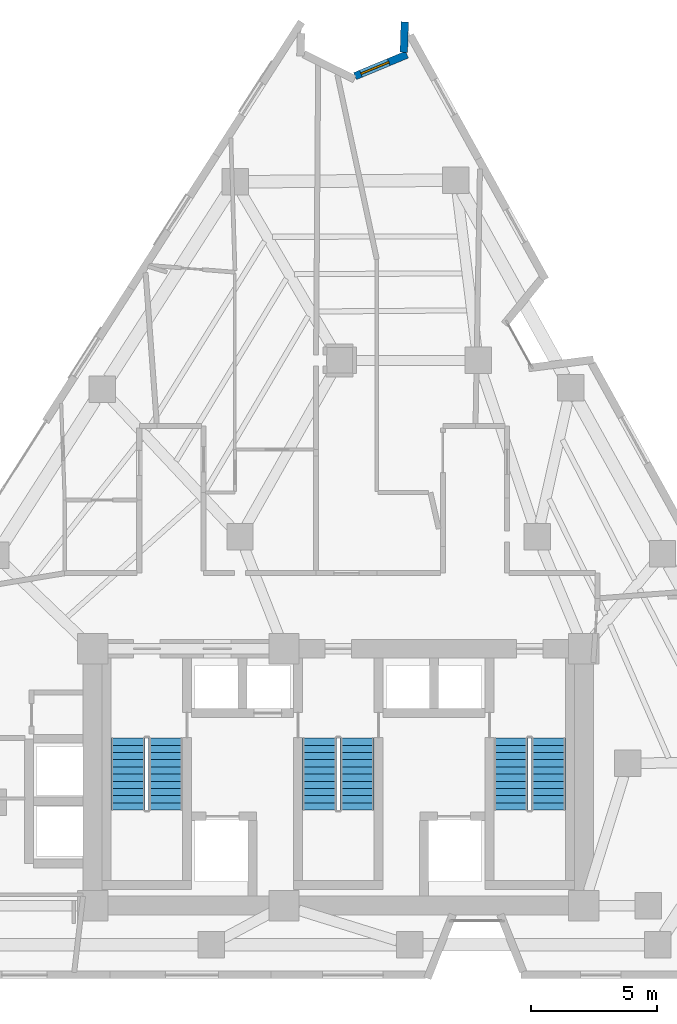
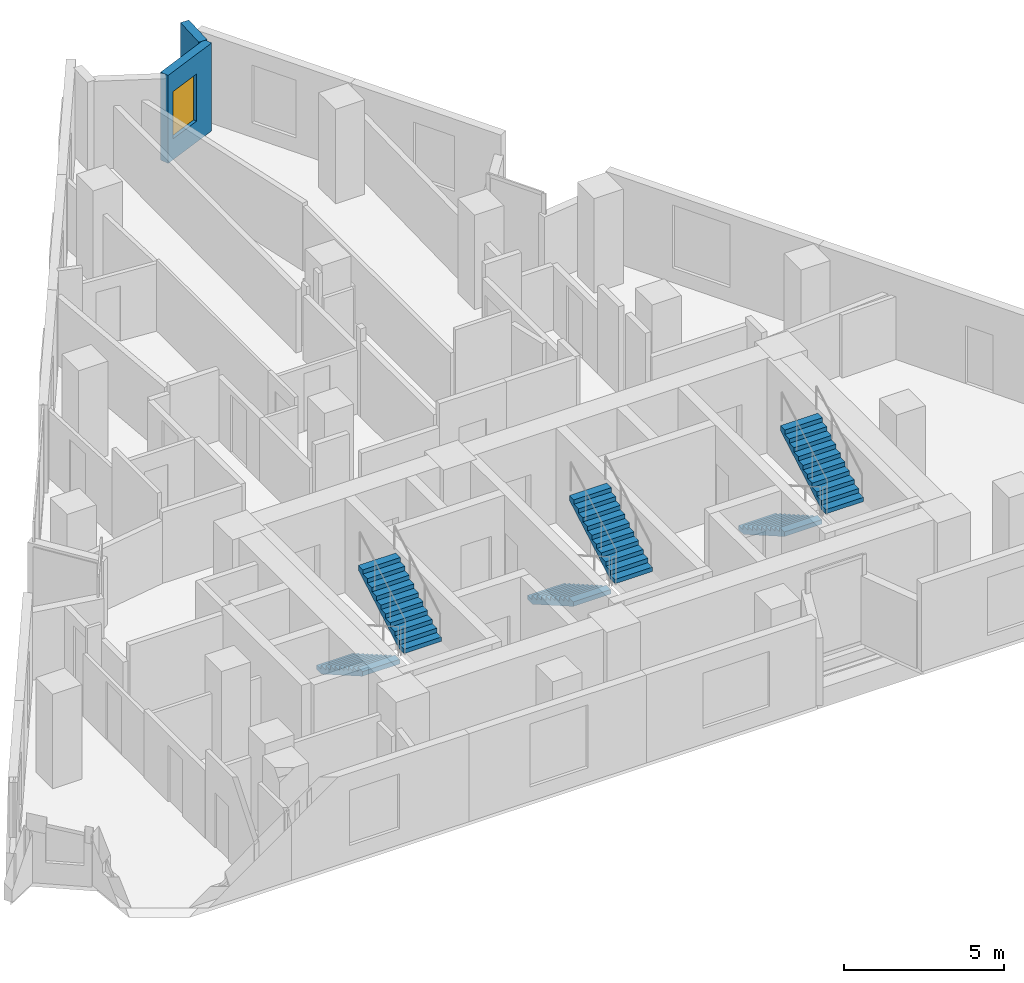
# One storey, part 9 of 11: 6 stair flights, 2 walls, 1 window, 1 opening, 3 elements without a shape of their own.
"""IFC4 building model written with IfcOpenShell, lengths in metres."""

from ifc_helpers import new_model, si_unit, direction, frame, frame_2d, origin, place, context, subcontext, project, spatial, polyline, rectangle, outline, extrude, material, layer, layer_set, type_object, element, fill, aggregate, save


model = new_model("IFC4")

# Units and contexts
model_context = context("Model", 3, precision=1e-05, world=origin(), true_north=direction((0.0, 1.0)))
body_context = subcontext(model_context, "Body", "Model", "MODEL_VIEW")
ifc_project = project(units=[si_unit("LENGTHUNIT", "METRE"), si_unit("AREAUNIT", "SQUARE_METRE"), si_unit("VOLUMEUNIT", "CUBIC_METRE"), si_unit("PLANEANGLEUNIT", "RADIAN"), si_unit("MASSUNIT", "GRAM", prefix="KILO")], contexts=[model_context])

# Site, building, storey
site_placement = place(None, origin())
site = spatial("IfcSite", under=ifc_project, at=site_placement, CompositionType="ELEMENT")
building_placement = place(site_placement, origin())
building = spatial("IfcBuilding", under=site, at=building_placement, Name="Almagre Mirador Tower", CompositionType="ELEMENT")
storey_placement = place(building_placement, frame((0.0, 0.0, 160.800048828125)))
storey = spatial("IfcBuildingStorey", under=building, at=storey_placement, Name="L41", CompositionType="ELEMENT", Elevation=160.800048828125)

# Wall, opening, window
ifc_material_1 = material(Name="Precast concrete C50/60", Category="concrete")
ifc_layer = layer(ifc_material_1, 0.300048828125)
ifc_layer_set = layer_set([ifc_layer], Name="Precast concrete C50/60")
wall_type = type_object("IfcWallType", Name="WAL-EXT-300", PredefinedType="SOLIDWALL", material=ifc_layer_set)
wall_1_placement = place(storey_placement, frame((37.96484375, 37.483154296875, 0.0), z_axis=(0.0, 0.0, 1.0), x_axis=(0.923541991646, 0.383497313766, 0.0)))
wall_1 = element("IfcWall", 1, at=wall_1_placement, inside=storey, type_object=wall_type, Name="L41 expressed almagre precast frame wall 08", PredefinedType="SOLIDWALL", context=body_context, shape_type="SweptSolid", body=[
    extrude(rectangle(XDim=2.233154296875, YDim=0.300048828125, at=frame_2d((1.11669921875, 0.0))), origin(), (0.0, 0.0, 1.0), 3.349853515625),
])
opening_placement = place(wall_1_placement, frame((0.2529296875, 0.0, 0.800048828125)))
opening = element("IfcOpeningElement", 2, at=opening_placement, cuts=wall_1, Name="Opening WN-04", PredefinedType="OPENING", context=body_context, shape_type="SweptSolid", body=[
    extrude(rectangle(XDim=1.199951171875, YDim=1.800048828125, at=frame_2d((0.60009765625, 0.89990234375))), frame((0.0, 0.159902, 0.0), z_axis=(0.0, -1.0, 0.0), x_axis=(1.0, 0.0, 0.0)), (0.0, 0.0, 1.0), 0.320049),
])
ifc_material_2 = material(Name="Dark solar-control laminated hurricane glass", Category="glass")
window_type = type_object("IfcWindowType", Name="WIN-1200X1800", PartitioningType="SINGLE_PANEL", PredefinedType="WINDOW", material=ifc_material_2)
window_placement = place(opening_placement, origin())
window = element("IfcWindow", 3, at=window_placement, inside=storey, type_object=window_type, Name="L41 recessed hurricane window L41-RST-H", OverallHeight=1.800048828125, OverallWidth=1.199951171875, PartitioningType="SINGLE_PANEL", PredefinedType="WINDOW", context=body_context, shape_type="SweptSolid", body=[
    extrude(rectangle(XDim=1.199951171875, YDim=1.800048828125, at=frame_2d((0.60009765625, 0.89990234375))), frame((0.0, 0.030029296875, 0.0), z_axis=(0.0, -1.0, 0.0), x_axis=(1.0, 0.0, 0.0)), (0.0, 0.0, 1.0), 0.06005859375),
])
fill(opening, window)

# Wall
wall_2_placement = place(storey_placement, frame((39.902587890625, 38.430908203125, 0.0), z_axis=(0.0, 0.0, 1.0), x_axis=(0.032091701063, 0.999484928712, 0.0)))
element("IfcWall", 4, at=wall_2_placement, inside=storey, type_object=wall_type, Name="L41 expressed almagre precast frame wall 09", PredefinedType="SOLIDWALL", context=body_context, shape_type="SweptSolid", body=[
    extrude(rectangle(XDim=1.209716796875, YDim=0.300048828125, at=frame_2d((0.60498046875, 0.0))), origin(), (0.0, 0.0, 1.0), 3.349853515625),
])

# Stair, stair flights
ifc_material_3 = material(Name="Concrete C45/55", Category="concrete")
stair_type = type_object("IfcStairType", Name="STR-DL-3600", PredefinedType="HALF_TURN_STAIR", material=ifc_material_3)
stair_1_placement = place(storey_placement, origin())
stair_1 = element("IfcStair", 5, at=stair_1_placement, inside=storey, type_object=stair_type, Name="L41 Protected exit stair ST-1", PredefinedType="HALF_TURN_STAIR")
ifc_material_4 = material(Name="Concrete C45/55", Category="concrete")
stair_flight_type = type_object("IfcStairFlightType", Name="FLT-DL-3600", PredefinedType="STRAIGHT", material=ifc_material_4)
stair_flight_1_placement = place(storey_placement, frame((28.949951171875, 11.199951171875, 0.0), z_axis=(0.0, 0.0, 1.0), x_axis=(0.0, -1.0, 0.0)))
stair_flight_1 = element("IfcStairFlight", 6, at=stair_flight_1_placement, type_object=stair_flight_type, Name="ST-1 flight 1", NumberOfRisers=11, NumberOfTreads=10, PredefinedType="STRAIGHT", RiserHeight=0.163636364, TreadLength=0.285, context=body_context, shape_type="SweptSolid", body=[
    extrude(outline(polyline([(0.0, 0.0), (0.0, 0.16357421875), (0.284912109375, 0.16357421875), (0.284912109375, 0.327392578125), (0.570068359375, 0.327392578125), (0.570068359375, 0.490966796875), (0.85498046875, 0.490966796875), (0.85498046875, 0.654541015625), (1.139892578125, 0.654541015625), (1.139892578125, 0.818115234375), (1.425048828125, 0.818115234375), (1.425048828125, 0.98193359375), (1.7099609375, 0.98193359375), (1.7099609375, 1.1455078125), (1.9951171875, 1.1455078125), (1.9951171875, 1.30908203125), (2.280029296875, 1.30908203125), (2.280029296875, 1.47265625), (2.56494140625, 1.47265625), (2.56494140625, 1.636474609375), (2.85009765625, 1.636474609375), (2.85009765625, 1.800048828125), (2.85009765625, 1.463623046875), (0.301025390625, 0.0), (0.0, 0.0)])), frame((0.0, 0.675048828125, 0.0), z_axis=(0.0, -1.0, 0.0), x_axis=(1.0, 0.0, 0.0)), (0.0, 0.0, 1.0), 1.35009765625),
])
stair_flight_2_placement = place(storey_placement, frame((30.449951171875, 8.35009765625, 1.800048828125), z_axis=(0.0, 0.0, 1.0), x_axis=(0.0, 1.0, 0.0)))
stair_flight_2 = element("IfcStairFlight", 7, at=stair_flight_2_placement, type_object=stair_flight_type, Name="ST-1 flight 2", NumberOfRisers=11, NumberOfTreads=10, PredefinedType="STRAIGHT", RiserHeight=0.163636364, TreadLength=0.285, context=body_context, shape_type="SweptSolid", body=[
    extrude(outline(polyline([(0.0, 0.0), (0.0, 0.16357421875), (0.284912109375, 0.16357421875), (0.284912109375, 0.327392578125), (0.570068359375, 0.327392578125), (0.570068359375, 0.490966796875), (0.85498046875, 0.490966796875), (0.85498046875, 0.654541015625), (1.139892578125, 0.654541015625), (1.139892578125, 0.818115234375), (1.425048828125, 0.818115234375), (1.425048828125, 0.98193359375), (1.7099609375, 0.98193359375), (1.7099609375, 1.1455078125), (1.9951171875, 1.1455078125), (1.9951171875, 1.30908203125), (2.280029296875, 1.30908203125), (2.280029296875, 1.47265625), (2.56494140625, 1.47265625), (2.56494140625, 1.636474609375), (2.85009765625, 1.636474609375), (2.85009765625, 1.800048828125), (2.85009765625, 1.463623046875), (0.301025390625, 0.0), (0.0, 0.0)])), frame((0.0, 0.675048828125, 0.0), z_axis=(0.0, -1.0, 0.0), x_axis=(1.0, 0.0, 0.0)), (0.0, 0.0, 1.0), 1.35009765625),
])
aggregate(stair_1, [stair_flight_1, stair_flight_2])

stair_2_placement = place(storey_placement, origin())
stair_2 = element("IfcStair", 8, at=stair_2_placement, inside=storey, type_object=stair_type, Name="L41 Protected exit stair ST-2", PredefinedType="HALF_TURN_STAIR")
stair_flight_3_placement = place(storey_placement, frame((36.550048828125, 11.199951171875, 0.0), z_axis=(0.0, 0.0, 1.0), x_axis=(0.0, -1.0, 0.0)))
stair_flight_3 = element("IfcStairFlight", 9, at=stair_flight_3_placement, type_object=stair_flight_type, Name="ST-2 flight 1", NumberOfRisers=11, NumberOfTreads=10, PredefinedType="STRAIGHT", RiserHeight=0.163636364, TreadLength=0.285, context=body_context, shape_type="SweptSolid", body=[
    extrude(outline(polyline([(0.0, 0.0), (0.0, 0.16357421875), (0.284912109375, 0.16357421875), (0.284912109375, 0.327392578125), (0.570068359375, 0.327392578125), (0.570068359375, 0.490966796875), (0.85498046875, 0.490966796875), (0.85498046875, 0.654541015625), (1.139892578125, 0.654541015625), (1.139892578125, 0.818115234375), (1.425048828125, 0.818115234375), (1.425048828125, 0.98193359375), (1.7099609375, 0.98193359375), (1.7099609375, 1.1455078125), (1.9951171875, 1.1455078125), (1.9951171875, 1.30908203125), (2.280029296875, 1.30908203125), (2.280029296875, 1.47265625), (2.56494140625, 1.47265625), (2.56494140625, 1.636474609375), (2.85009765625, 1.636474609375), (2.85009765625, 1.800048828125), (2.85009765625, 1.463623046875), (0.301025390625, 0.0), (0.0, 0.0)])), frame((0.0, 0.675048828125, 0.0), z_axis=(0.0, -1.0, 0.0), x_axis=(1.0, 0.0, 0.0)), (0.0, 0.0, 1.0), 1.35009765625),
])
stair_flight_4_placement = place(storey_placement, frame((38.050048828125, 8.35009765625, 1.800048828125), z_axis=(0.0, 0.0, 1.0), x_axis=(0.0, 1.0, 0.0)))
stair_flight_4 = element("IfcStairFlight", 10, at=stair_flight_4_placement, type_object=stair_flight_type, Name="ST-2 flight 2", NumberOfRisers=11, NumberOfTreads=10, PredefinedType="STRAIGHT", RiserHeight=0.163636364, TreadLength=0.285, context=body_context, shape_type="SweptSolid", body=[
    extrude(outline(polyline([(0.0, 0.0), (0.0, 0.16357421875), (0.284912109375, 0.16357421875), (0.284912109375, 0.327392578125), (0.570068359375, 0.327392578125), (0.570068359375, 0.490966796875), (0.85498046875, 0.490966796875), (0.85498046875, 0.654541015625), (1.139892578125, 0.654541015625), (1.139892578125, 0.818115234375), (1.425048828125, 0.818115234375), (1.425048828125, 0.98193359375), (1.7099609375, 0.98193359375), (1.7099609375, 1.1455078125), (1.9951171875, 1.1455078125), (1.9951171875, 1.30908203125), (2.280029296875, 1.30908203125), (2.280029296875, 1.47265625), (2.56494140625, 1.47265625), (2.56494140625, 1.636474609375), (2.85009765625, 1.636474609375), (2.85009765625, 1.800048828125), (2.85009765625, 1.463623046875), (0.301025390625, 0.0), (0.0, 0.0)])), frame((0.0, 0.675048828125, 0.0), z_axis=(0.0, -1.0, 0.0), x_axis=(1.0, 0.0, 0.0)), (0.0, 0.0, 1.0), 1.35009765625),
])
aggregate(stair_2, [stair_flight_3, stair_flight_4])

stair_3_placement = place(storey_placement, origin())
stair_3 = element("IfcStair", 11, at=stair_3_placement, inside=storey, type_object=stair_type, Name="L41 Protected exit stair ST-3", PredefinedType="HALF_TURN_STAIR")
stair_flight_5_placement = place(storey_placement, frame((44.14990234375, 11.199951171875, 0.0), z_axis=(0.0, 0.0, 1.0), x_axis=(0.0, -1.0, 0.0)))
stair_flight_5 = element("IfcStairFlight", 12, at=stair_flight_5_placement, type_object=stair_flight_type, Name="ST-3 flight 1", NumberOfRisers=11, NumberOfTreads=10, PredefinedType="STRAIGHT", RiserHeight=0.163636364, TreadLength=0.285, context=body_context, shape_type="SweptSolid", body=[
    extrude(outline(polyline([(0.0, 0.0), (0.0, 0.16357421875), (0.284912109375, 0.16357421875), (0.284912109375, 0.327392578125), (0.570068359375, 0.327392578125), (0.570068359375, 0.490966796875), (0.85498046875, 0.490966796875), (0.85498046875, 0.654541015625), (1.139892578125, 0.654541015625), (1.139892578125, 0.818115234375), (1.425048828125, 0.818115234375), (1.425048828125, 0.98193359375), (1.7099609375, 0.98193359375), (1.7099609375, 1.1455078125), (1.9951171875, 1.1455078125), (1.9951171875, 1.30908203125), (2.280029296875, 1.30908203125), (2.280029296875, 1.47265625), (2.56494140625, 1.47265625), (2.56494140625, 1.636474609375), (2.85009765625, 1.636474609375), (2.85009765625, 1.800048828125), (2.85009765625, 1.463623046875), (0.301025390625, 0.0), (0.0, 0.0)])), frame((0.0, 0.675048828125, 0.0), z_axis=(0.0, -1.0, 0.0), x_axis=(1.0, 0.0, 0.0)), (0.0, 0.0, 1.0), 1.35009765625),
])
stair_flight_6_placement = place(storey_placement, frame((45.64990234375, 8.35009765625, 1.800048828125), z_axis=(0.0, 0.0, 1.0), x_axis=(0.0, 1.0, 0.0)))
stair_flight_6 = element("IfcStairFlight", 13, at=stair_flight_6_placement, type_object=stair_flight_type, Name="ST-3 flight 2", NumberOfRisers=11, NumberOfTreads=10, PredefinedType="STRAIGHT", RiserHeight=0.163636364, TreadLength=0.285, context=body_context, shape_type="SweptSolid", body=[
    extrude(outline(polyline([(0.0, 0.0), (0.0, 0.16357421875), (0.284912109375, 0.16357421875), (0.284912109375, 0.327392578125), (0.570068359375, 0.327392578125), (0.570068359375, 0.490966796875), (0.85498046875, 0.490966796875), (0.85498046875, 0.654541015625), (1.139892578125, 0.654541015625), (1.139892578125, 0.818115234375), (1.425048828125, 0.818115234375), (1.425048828125, 0.98193359375), (1.7099609375, 0.98193359375), (1.7099609375, 1.1455078125), (1.9951171875, 1.1455078125), (1.9951171875, 1.30908203125), (2.280029296875, 1.30908203125), (2.280029296875, 1.47265625), (2.56494140625, 1.47265625), (2.56494140625, 1.636474609375), (2.85009765625, 1.636474609375), (2.85009765625, 1.800048828125), (2.85009765625, 1.463623046875), (0.301025390625, 0.0), (0.0, 0.0)])), frame((0.0, 0.675048828125, 0.0), z_axis=(0.0, -1.0, 0.0), x_axis=(1.0, 0.0, 0.0)), (0.0, 0.0, 1.0), 1.35009765625),
])
aggregate(stair_3, [stair_flight_5, stair_flight_6])

save(model, "model.ifc")
